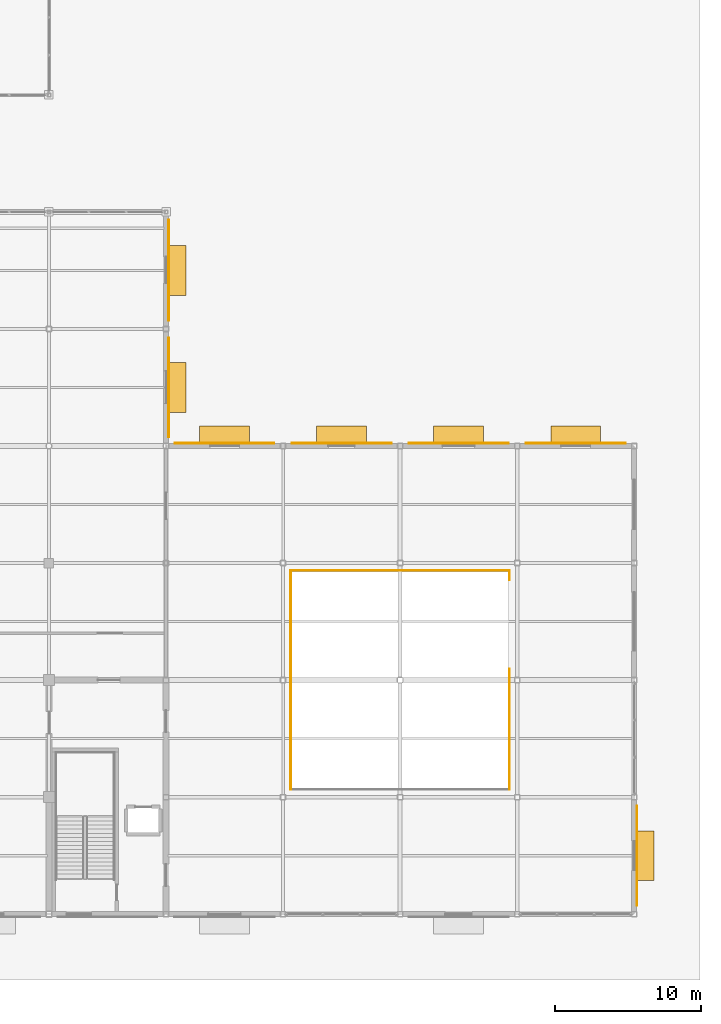
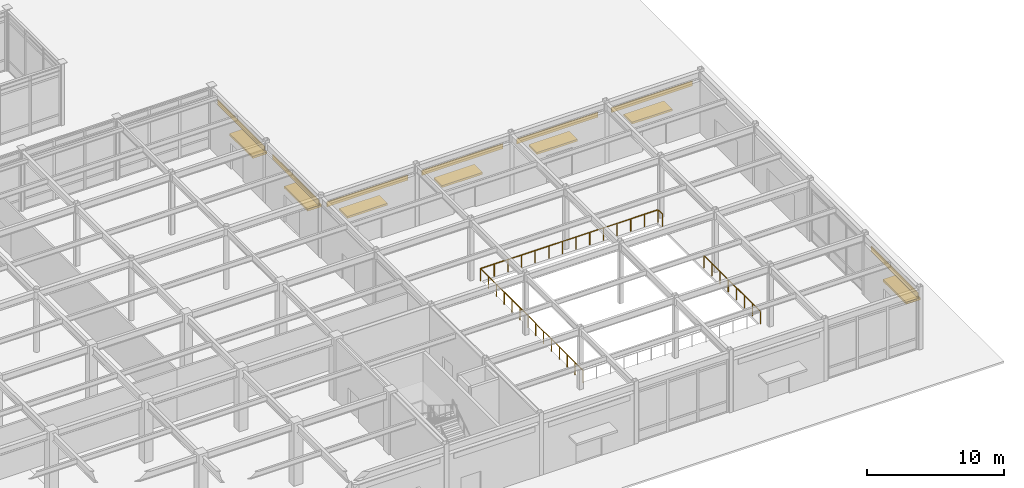
# One storey, part 125 of 128: 7 coverings, 7 shading devices, 4 railings.
"""IFC4 building model written with IfcOpenShell, lengths in metres."""

from ifc_helpers import new_model, si_unit, direction, frame, origin, origin_2d, place, context, subcontext, project, spatial, rectangle, circle, extrude, material, layer, layer_set, type_object, element, save


model = new_model("IFC4")

# Units and contexts
model_context = context("Model", 3, precision=1e-05, world=origin(), true_north=direction((0.0, 1.0)))
body_context = subcontext(model_context, "Body", "Model", "MODEL_VIEW")
ifc_project = project(units=[si_unit("LENGTHUNIT", "METRE"), si_unit("AREAUNIT", "SQUARE_METRE"), si_unit("VOLUMEUNIT", "CUBIC_METRE"), si_unit("PLANEANGLEUNIT", "RADIAN"), si_unit("MASSUNIT", "GRAM", prefix="KILO")], contexts=[model_context])

# Site, building, storey
site_placement = place(None, origin())
site = spatial("IfcSite", under=ifc_project, at=site_placement, CompositionType="ELEMENT")
building_placement = place(site_placement, origin())
building = spatial("IfcBuilding", under=site, at=building_placement, Name="Solmirada Galleria", CompositionType="ELEMENT")
storey_placement = place(building_placement, origin())
storey = spatial("IfcBuildingStorey", under=building, at=storey_placement, Name="L00", CompositionType="ELEMENT", Elevation=0.0)

# Coverings
ifc_material_1 = material(Name="Limestone cladding panels", Category="masonry")
ifc_layer = layer(ifc_material_1, 0.044921875)
ifc_layer_set = layer_set([ifc_layer], Name="Limestone cladding panels")
covering_type = type_object("IfcCoveringType", Name="COV-CLAD-LIME", PredefinedType="CLADDING", material=ifc_layer_set)
covering_placement = place(storey_placement, frame((144.1923828125, 44.0, 4.090087890625), z_axis=(0.0, 0.0, 1.0), x_axis=(0.0, -1.0, 0.0)))
element("IfcCovering", 1, at=covering_placement, inside=storey, type_object=covering_type, Name="Postmodern facade cladding L00-027", PredefinedType="CLADDING", context=body_context, shape_type="SweptSolid", body=[
    extrude(rectangle(XDim=6.89501953125, YDim=0.044921875, at=origin_2d()), origin(), (0.0, 0.0, 1.0), 0.4599609375),
])
for number, where, z_axis, x_axis, name in (
    (2, (144.1923828125, 36.0, 4.090087890625), (0.0, 0.0, 1.0), (0.0, -1.0, 0.0), "Postmodern facade cladding L00-028"),
    (3, (148.0, 32.1923828125, 4.090087890625), (0.0, 0.0, 1.0), (1.0, 0.0, 0.0), "Postmodern facade cladding L00-029"),
):
    element("IfcCovering", number, at=place(storey_placement, frame(where, z_axis=z_axis, x_axis=x_axis)), inside=storey, type_object=covering_type, Name=name, PredefinedType="CLADDING", context=body_context, shape_type="SweptSolid", body=[
        extrude(rectangle(XDim=6.819091796875, YDim=0.044921875, at=origin_2d()), origin(), (0.0, 0.0, 1.0), 0.4599609375),
    ])
for number, where, z_axis, x_axis, name in (
    (4, (156.0, 32.1923828125, 4.090087890625), (0.0, 0.0, 1.0), (1.0, 0.0, 0.0), "Postmodern facade cladding L00-030"),
    (5, (164.0, 32.1923828125, 4.090087890625), (0.0, 0.0, 1.0), (1.0, 0.0, 0.0), "Postmodern facade cladding L00-031"),
    (6, (172.0, 32.1923828125, 4.090087890625), (0.0, 0.0, 1.0), (1.0, 0.0, 0.0), "Postmodern facade cladding L00-032"),
    (7, (176.1923828125, 4.0, 4.090087890625), (0.0, 0.0, 1.0), (0.0, -1.0, 0.0), "Postmodern facade cladding L00-033"),
):
    element("IfcCovering", number, at=place(storey_placement, frame(where, z_axis=z_axis, x_axis=x_axis)), inside=storey, type_object=covering_type, Name=name, PredefinedType="CLADDING", context=body_context, shape_type="SweptSolid", body=[
        extrude(rectangle(XDim=6.843994140625, YDim=0.044921875, at=origin_2d()), origin(), (0.0, 0.0, 1.0), 0.4599609375),
    ])

# Railings
ifc_material_2 = material(Name="Painted steel tubular railing", Category="steel")
railing_type = type_object("IfcRailingType", Name="RAIL-STAIR-GUARD", PredefinedType="GUARDRAIL", material=ifc_material_2)
railing_1_placement = place(storey_placement, frame((152.52001953125, 8.52001953125, 0.0)))
element("IfcRailing", 8, at=railing_1_placement, inside=storey, type_object=railing_type, Name="Vehicle ramp opening guardrail L00-2", PredefinedType="GUARDRAIL", context=body_context, shape_type="SweptSolid", body=[
    extrude(circle(Radius=0.02392578125, at=origin_2d()), frame((0.0, 0.0, 1.09619140625), z_axis=(0.0, 1.0, 0.0), x_axis=(-1.0, 0.0, 0.0)), (0.0, 0.0, 1.0), 14.9599609375),
    extrude(circle(Radius=0.02099609375, at=origin_2d()), origin(), (0.0, 0.0, 1.0), 1.068115234375),
    extrude(circle(Radius=0.02099609375, at=origin_2d()), frame((0.0, 1.15087890625, 0.0)), (0.0, 0.0, 1.0), 1.068115234375),
    extrude(circle(Radius=0.02099609375, at=origin_2d()), frame((0.0, 2.301513671875, 0.0)), (0.0, 0.0, 1.0), 1.068115234375),
    extrude(circle(Radius=0.02099609375, at=origin_2d()), frame((0.0, 3.452392578125, 0.0)), (0.0, 0.0, 1.0), 1.068115234375),
    extrude(circle(Radius=0.02099609375, at=origin_2d()), frame((0.0, 4.60302734375, 0.0)), (0.0, 0.0, 1.0), 1.068115234375),
    extrude(circle(Radius=0.02099609375, at=origin_2d()), frame((0.0, 5.75390625, 0.0)), (0.0, 0.0, 1.0), 1.068115234375),
    extrude(circle(Radius=0.02099609375, at=origin_2d()), frame((0.0, 6.904541015625, 0.0)), (0.0, 0.0, 1.0), 1.068115234375),
    extrude(circle(Radius=0.02099609375, at=origin_2d()), frame((0.0, 8.055419921875, 0.0)), (0.0, 0.0, 1.0), 1.068115234375),
    extrude(circle(Radius=0.02099609375, at=origin_2d()), frame((0.0, 9.2060546875, 0.0)), (0.0, 0.0, 1.0), 1.068115234375),
    extrude(circle(Radius=0.02099609375, at=origin_2d()), frame((0.0, 10.35693359375, 0.0)), (0.0, 0.0, 1.0), 1.068115234375),
    extrude(circle(Radius=0.02099609375, at=origin_2d()), frame((0.0, 11.507568359375, 0.0)), (0.0, 0.0, 1.0), 1.068115234375),
    extrude(circle(Radius=0.02099609375, at=origin_2d()), frame((0.0, 12.658447265625, 0.0)), (0.0, 0.0, 1.0), 1.068115234375),
    extrude(circle(Radius=0.02099609375, at=origin_2d()), frame((0.0, 13.80908203125, 0.0)), (0.0, 0.0, 1.0), 1.068115234375),
    extrude(circle(Radius=0.02099609375, at=origin_2d()), frame((0.0, 14.9599609375, 0.0)), (0.0, 0.0, 1.0), 1.068115234375),
])
railing_2_placement = place(storey_placement, frame((152.52001953125, 23.47998046875, 0.0)))
element("IfcRailing", 9, at=railing_2_placement, inside=storey, type_object=railing_type, Name="Vehicle ramp opening guardrail L00-3", PredefinedType="GUARDRAIL", context=body_context, shape_type="SweptSolid", body=[
    extrude(circle(Radius=0.02392578125, at=origin_2d()), frame((0.0, 0.0, 1.09619140625), z_axis=(1.0, 0.0, 0.0), x_axis=(0.0, 1.0, 0.0)), (0.0, 0.0, 1.0), 14.9599609375),
    extrude(circle(Radius=0.02099609375, at=origin_2d()), origin(), (0.0, 0.0, 1.0), 1.068115234375),
    extrude(circle(Radius=0.02099609375, at=origin_2d()), frame((1.15087890625, 0.0, 0.0)), (0.0, 0.0, 1.0), 1.068115234375),
    extrude(circle(Radius=0.02099609375, at=origin_2d()), frame((2.301513671875, 0.0, 0.0)), (0.0, 0.0, 1.0), 1.068115234375),
    extrude(circle(Radius=0.02099609375, at=origin_2d()), frame((3.452392578125, 0.0, 0.0)), (0.0, 0.0, 1.0), 1.068115234375),
    extrude(circle(Radius=0.02099609375, at=origin_2d()), frame((4.60302734375, 0.0, 0.0)), (0.0, 0.0, 1.0), 1.068115234375),
    extrude(circle(Radius=0.02099609375, at=origin_2d()), frame((5.75390625, 0.0, 0.0)), (0.0, 0.0, 1.0), 1.068115234375),
    extrude(circle(Radius=0.02099609375, at=origin_2d()), frame((6.904541015625, 0.0, 0.0)), (0.0, 0.0, 1.0), 1.068115234375),
    extrude(circle(Radius=0.02099609375, at=origin_2d()), frame((8.055419921875, 0.0, 0.0)), (0.0, 0.0, 1.0), 1.068115234375),
    extrude(circle(Radius=0.02099609375, at=origin_2d()), frame((9.2060546875, 0.0, 0.0)), (0.0, 0.0, 1.0), 1.068115234375),
    extrude(circle(Radius=0.02099609375, at=origin_2d()), frame((10.35693359375, 0.0, 0.0)), (0.0, 0.0, 1.0), 1.068115234375),
    extrude(circle(Radius=0.02099609375, at=origin_2d()), frame((11.507568359375, 0.0, 0.0)), (0.0, 0.0, 1.0), 1.068115234375),
    extrude(circle(Radius=0.02099609375, at=origin_2d()), frame((12.658447265625, 0.0, 0.0)), (0.0, 0.0, 1.0), 1.068115234375),
    extrude(circle(Radius=0.02099609375, at=origin_2d()), frame((13.80908203125, 0.0, 0.0)), (0.0, 0.0, 1.0), 1.068115234375),
    extrude(circle(Radius=0.02099609375, at=origin_2d()), frame((14.9599609375, 0.0, 0.0)), (0.0, 0.0, 1.0), 1.068115234375),
])
railing_3_placement = place(storey_placement, frame((167.47998046875, 8.52001953125, 0.0)))
element("IfcRailing", 10, at=railing_3_placement, inside=storey, type_object=railing_type, Name="Vehicle ramp opening guardrail L00-4", PredefinedType="GUARDRAIL", context=body_context, shape_type="SweptSolid", body=[
    extrude(circle(Radius=0.02392578125, at=origin_2d()), frame((0.0, 0.0, 1.09619140625), z_axis=(0.0, 1.0, 0.0), x_axis=(-1.0, 0.0, 0.0)), (0.0, 0.0, 1.0), 8.22998046875),
    extrude(circle(Radius=0.02099609375, at=origin_2d()), origin(), (0.0, 0.0, 1.0), 1.068115234375),
    extrude(circle(Radius=0.02099609375, at=origin_2d()), frame((0.0, 1.17578125, 0.0)), (0.0, 0.0, 1.0), 1.068115234375),
    extrude(circle(Radius=0.02099609375, at=origin_2d()), frame((0.0, 2.351318359375, 0.0)), (0.0, 0.0, 1.0), 1.068115234375),
    extrude(circle(Radius=0.02099609375, at=origin_2d()), frame((0.0, 3.527099609375, 0.0)), (0.0, 0.0, 1.0), 1.068115234375),
    extrude(circle(Radius=0.02099609375, at=origin_2d()), frame((0.0, 4.702880859375, 0.0)), (0.0, 0.0, 1.0), 1.068115234375),
    extrude(circle(Radius=0.02099609375, at=origin_2d()), frame((0.0, 5.878662109375, 0.0)), (0.0, 0.0, 1.0), 1.068115234375),
    extrude(circle(Radius=0.02099609375, at=origin_2d()), frame((0.0, 7.05419921875, 0.0)), (0.0, 0.0, 1.0), 1.068115234375),
    extrude(circle(Radius=0.02099609375, at=origin_2d()), frame((0.0, 8.22998046875, 0.0)), (0.0, 0.0, 1.0), 1.068115234375),
])
railing_4_placement = place(storey_placement, frame((167.47998046875, 22.85009765625, 0.0)))
element("IfcRailing", 11, at=railing_4_placement, inside=storey, type_object=railing_type, Name="Vehicle ramp opening guardrail L00-5", PredefinedType="GUARDRAIL", context=body_context, shape_type="SweptSolid", body=[
    extrude(circle(Radius=0.02392578125, at=origin_2d()), frame((0.0, 0.0, 1.09619140625), z_axis=(0.0, 1.0, 0.0), x_axis=(-1.0, 0.0, 0.0)), (0.0, 0.0, 1.0), 0.6298828125),
    extrude(circle(Radius=0.02099609375, at=origin_2d()), origin(), (0.0, 0.0, 1.0), 1.068115234375),
    extrude(circle(Radius=0.02099609375, at=origin_2d()), frame((0.0, 0.6298828125, 0.0)), (0.0, 0.0, 1.0), 1.068115234375),
])

# Shading devices
ifc_material_3 = material(Name="Extruded aluminium storm louvres", Category="aluminium")
shading_device_type = type_object("IfcShadingDeviceType", Name="SHD-AWNING", PredefinedType="AWNING", material=ifc_material_3)
for number, where, z_axis, x_axis, name in (
    (12, (144.77001953125, 44.0, 2.41015625), (0.0, 0.0, 1.0), (0.0, -1.0, 0.0), "Storm entrance awning canopy 015"),
    (13, (144.77001953125, 36.0, 2.56005859375), (0.0, 0.0, 1.0), (0.0, -1.0, 0.0), "Storm entrance awning canopy 016"),
    (14, (148.0, 32.77001953125, 2.4599609375), (0.0, 0.0, 1.0), (1.0, 0.0, 0.0), "Storm entrance awning canopy 017"),
    (15, (156.0, 32.77001953125, 2.41015625), (0.0, 0.0, 1.0), (1.0, 0.0, 0.0), "Storm entrance awning canopy 018"),
    (16, (164.0, 32.77001953125, 2.56005859375), (0.0, 0.0, 1.0), (1.0, 0.0, 0.0), "Storm entrance awning canopy 019"),
    (17, (172.0, 32.77001953125, 2.4599609375), (0.0, 0.0, 1.0), (1.0, 0.0, 0.0), "Storm entrance awning canopy 020"),
    (18, (176.77001953125, 4.0, 2.4599609375), (0.0, 0.0, 1.0), (0.0, -1.0, 0.0), "Storm entrance awning canopy 021"),
):
    element("IfcShadingDevice", number, at=place(storey_placement, frame(where, z_axis=z_axis, x_axis=x_axis)), inside=storey, type_object=shading_device_type, Name=name, PredefinedType="AWNING", context=body_context, shape_type="SweptSolid", body=[
        extrude(rectangle(XDim=3.39990234375, YDim=1.199951171875, at=origin_2d()), origin(), (0.0, 0.0, 1.0), 0.179931640625),
    ])

save(model, "model.ifc")
